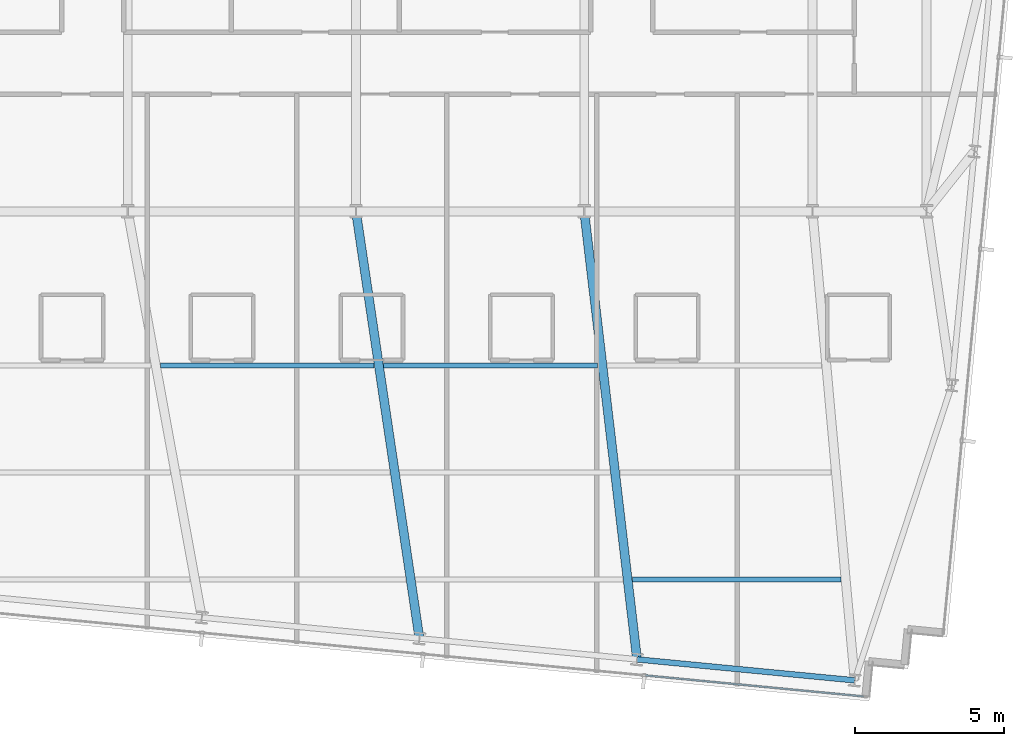
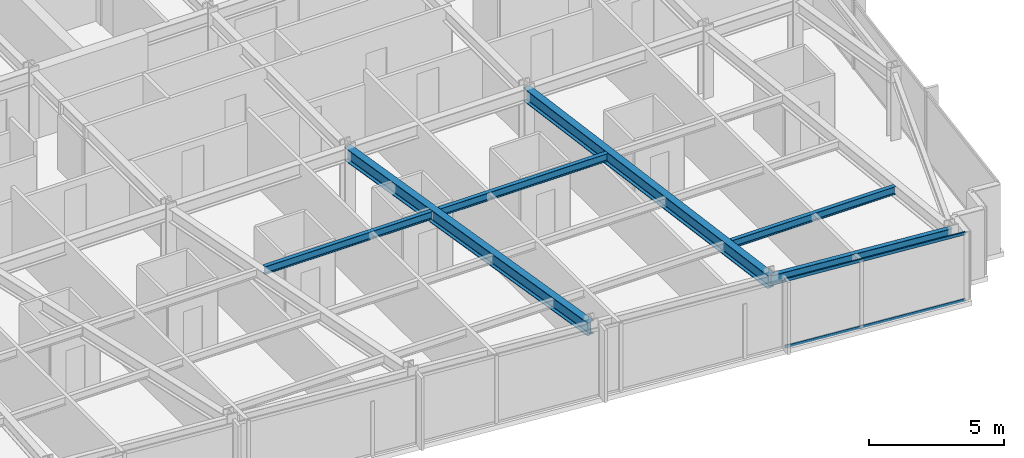
# One storey, part 13 of 37: 6 beams, 2 members, 1 element without a shape of its own.
"""IFC4 building model written with IfcOpenShell, lengths in metres."""

from ifc_helpers import new_model, si_unit, direction, frame, origin, origin_2d, place, context, subcontext, project, spatial, hollow_rectangle, i_section, extrude, material, material_profile, profile_set, type_object, element, aggregate, save


model = new_model("IFC4")

# Units and contexts
model_context = context("Model", 3, precision=1e-05, world=origin(), true_north=direction((0.0, 1.0)))
body_context = subcontext(model_context, "Body", "Model", "MODEL_VIEW")
ifc_project = project(units=[si_unit("LENGTHUNIT", "METRE"), si_unit("AREAUNIT", "SQUARE_METRE"), si_unit("VOLUMEUNIT", "CUBIC_METRE"), si_unit("PLANEANGLEUNIT", "RADIAN"), si_unit("MASSUNIT", "GRAM", prefix="KILO")], contexts=[model_context])

# Site, building, storey
site_placement = place(None, origin())
site = spatial("IfcSite", under=ifc_project, at=site_placement, CompositionType="ELEMENT")
building_placement = place(site_placement, origin())
building = spatial("IfcBuilding", under=site, at=building_placement, Name="Yelkora Congress Tower", CompositionType="ELEMENT")
storey_placement = place(building_placement, frame((0.0, 0.0, 182.0)))
storey = spatial("IfcBuildingStorey", under=building, at=storey_placement, Name="L50", CompositionType="ELEMENT", Elevation=182.0)

# Beams
ifc_material_1 = material(Name="Steel S355J2", Category="steel")
ifc_material_profile_1 = material_profile(ifc_material_1, i_section(OverallWidth=0.300048828125, OverallDepth=0.60009765625, WebThickness=0.015380859375, FlangeThickness=0.030029296875, FilletRadius=0.027099609375, at=origin_2d()), Name="HEB 600")
ifc_profile_set_1 = profile_set([ifc_material_profile_1], Name="Steel S355J2")
beam_type_1 = type_object("IfcBeamType", Name="BM-GIRD-HEB600", PredefinedType="BEAM", material=ifc_profile_set_1)
beam_1_placement = place(storey_placement, frame((40.53564453125, 10.83154296875, 2.780029296875), z_axis=(-0.147026183693, 0.989132600468, 0.0), x_axis=(-0.989132600468, -0.147026183693, 0.0)))
element("IfcBeam", 1, at=beam_1_placement, inside=storey, type_object=beam_type_1, Name="L50 Primary Frame Girder S06", PredefinedType="BEAM", context=body_context, shape_type="SweptSolid", body=[
    extrude(i_section(OverallWidth=0.300048828125, OverallDepth=0.60009765625, WebThickness=0.015380859375, FlangeThickness=0.030029296875, FilletRadius=0.027099609375, at=origin_2d()), origin(), (0.0, 0.0, 1.0), 14.5263671875),
])
beam_2_placement = place(storey_placement, frame((47.85888671875, 10.12646484375, 2.780029296875), z_axis=(-0.117195880411, 0.993108818617, 0.0), x_axis=(-0.993108818617, -0.117195880411, 0.0)))
element("IfcBeam", 2, at=beam_2_placement, inside=storey, type_object=beam_type_1, Name="L50 Primary Frame Girder S07", PredefinedType="BEAM", context=body_context, shape_type="SweptSolid", body=[
    extrude(i_section(OverallWidth=0.300048828125, OverallDepth=0.60009765625, WebThickness=0.015380859375, FlangeThickness=0.030029296875, FilletRadius=0.027099609375, at=origin_2d()), origin(), (0.0, 0.0, 1.0), 15.177978515625),
])
ifc_material_profile_2 = material_profile(ifc_material_1, i_section(OverallWidth=0.169921875, OverallDepth=0.360107421875, WebThickness=0.008056640625, FlangeThickness=0.0126953125, FilletRadius=0.01806640625, at=origin_2d()), Name="IPE 360")
ifc_profile_set_2 = profile_set([ifc_material_profile_2], Name="Steel S355J2")
beam_type_2 = type_object("IfcBeamType", Name="BM-JOIST-IPE360", PredefinedType="JOIST", material=ifc_profile_set_2)
beam_3_placement = place(storey_placement, frame((47.700927734375, 12.8212890625, 2.89990234375), z_axis=(1.0, 0.0, 0.0), x_axis=(0.0, 1.0, 0.0)))
element("IfcBeam", 3, at=beam_3_placement, inside=storey, type_object=beam_type_2, Name="L50 Composite Floor Joist 4", PredefinedType="JOIST", context=body_context, shape_type="SweptSolid", body=[
    extrude(i_section(OverallWidth=0.169921875, OverallDepth=0.360107421875, WebThickness=0.008056640625, FlangeThickness=0.0126953125, FilletRadius=0.01806640625, at=origin_2d()), origin(), (0.0, 0.0, 1.0), 7.014892578125),
])
beam_4_placement = place(storey_placement, frame((31.82470703125, 20.021240234375, 2.89990234375), z_axis=(1.0, 0.0, 0.0), x_axis=(0.0, 1.0, 0.0)))
element("IfcBeam", 4, at=beam_4_placement, inside=storey, type_object=beam_type_2, Name="L50 Composite Floor Joist 16", PredefinedType="JOIST", context=body_context, shape_type="SweptSolid", body=[
    extrude(i_section(OverallWidth=0.169921875, OverallDepth=0.360107421875, WebThickness=0.008056640625, FlangeThickness=0.0126953125, FilletRadius=0.01806640625, at=origin_2d()), origin(), (0.0, 0.0, 1.0), 7.18505859375),
])
beam_5_placement = place(storey_placement, frame((39.32958984375, 20.021240234375, 2.89990234375), z_axis=(1.0, 0.0, 0.0), x_axis=(0.0, 1.0, 0.0)))
element("IfcBeam", 5, at=beam_5_placement, inside=storey, type_object=beam_type_2, Name="L50 Composite Floor Joist 17", PredefinedType="JOIST", context=body_context, shape_type="SweptSolid", body=[
    extrude(i_section(OverallWidth=0.169921875, OverallDepth=0.360107421875, WebThickness=0.008056640625, FlangeThickness=0.0126953125, FilletRadius=0.01806640625, at=origin_2d()), origin(), (0.0, 0.0, 1.0), 7.20166015625),
])
ifc_material_profile_3 = material_profile(ifc_material_1, i_section(OverallWidth=0.18994140625, OverallDepth=0.449951171875, WebThickness=0.009521484375, FlangeThickness=0.0146484375, FilletRadius=0.02099609375, at=origin_2d()), Name="IPE 450")
ifc_profile_set_3 = profile_set([ifc_material_profile_3], Name="Steel S355J2")
beam_type_3 = type_object("IfcBeamType", Name="BM-SPAN-IPE450", PredefinedType="SPANDREL", material=ifc_profile_set_3)
beam_6_placement = place(storey_placement, frame((47.85888671875, 10.12646484375, 2.85498046875), z_axis=(0.995393938538, -0.095869218844, 0.0), x_axis=(0.095869218844, 0.995393938538, 0.0)))
element("IfcBeam", 6, at=beam_6_placement, inside=storey, type_object=beam_type_3, Name="L50 Perimeter Beam 8", PredefinedType="SPANDREL", context=body_context, shape_type="SweptSolid", body=[
    extrude(i_section(OverallWidth=0.18994140625, OverallDepth=0.449951171875, WebThickness=0.009521484375, FlangeThickness=0.0146484375, FilletRadius=0.02099609375, at=origin_2d()), origin(), (0.0, 0.0, 1.0), 7.357177734375),
])

# Curtain wall, members
ifc_material_2 = material(Name="Anodised aluminium and insulated glass", Category="aluminium")
curtain_wall_type = type_object("IfcCurtainWallType", Name="CW-SYS-B3", PredefinedType="NOTDEFINED", material=ifc_material_2)
curtain_wall_placement = place(storey_placement, origin())
curtain_wall = element("IfcCurtainWall", 7, at=curtain_wall_placement, inside=storey, type_object=curtain_wall_type, Name="L50 Unitised Curtain Wall 20", PredefinedType="NOTDEFINED")
ifc_material_3 = material(Name="Anodised aluminium 6063-T6", Category="aluminium")
ifc_material_profile_4 = material_profile(ifc_material_3, hollow_rectangle(XDim=0.06005859375, YDim=0.1298828125, WallThickness=0.00390625, at=origin_2d()), Name="ALU 60x130x4")
ifc_profile_set_4 = profile_set([ifc_material_profile_4], Name="Anodised aluminium 6063-T6")
member_type = type_object("IfcMemberType", Name="MEM-TR-B3", PredefinedType="USERDEFINED", material=ifc_profile_set_4)
member_1_placement = place(storey_placement, frame((55.4716796875, 8.881103515625, 0.030029296875), z_axis=(-0.995396212442, 0.095845606344, 0.0), x_axis=(-0.095845606344, -0.995396212442, 0.0)))
member_1 = element("IfcMember", 8, at=member_1_placement, type_object=member_type, Name="CW-B3 transom 1.1", ObjectType="TRANSOM", PredefinedType="USERDEFINED", context=body_context, shape_type="SweptSolid", body=[
    extrude(hollow_rectangle(XDim=0.06005859375, YDim=0.1298828125, WallThickness=0.00390625, at=origin_2d()), origin(), (0.0, 0.0, 1.0), 7.369140625),
])
member_2_placement = place(storey_placement, frame((55.4716796875, 8.881103515625, 3.050048828125), z_axis=(-0.995396212442, 0.095845606344, 0.0), x_axis=(-0.095845606344, -0.995396212442, 0.0)))
member_2 = element("IfcMember", 9, at=member_2_placement, type_object=member_type, Name="CW-B3 transom 1.2", ObjectType="TRANSOM", PredefinedType="USERDEFINED", context=body_context, shape_type="SweptSolid", body=[
    extrude(hollow_rectangle(XDim=0.06005859375, YDim=0.1298828125, WallThickness=0.00390625, at=origin_2d()), origin(), (0.0, 0.0, 1.0), 7.369140625),
])
aggregate(curtain_wall, [member_1, member_2])

save(model, "model.ifc")
